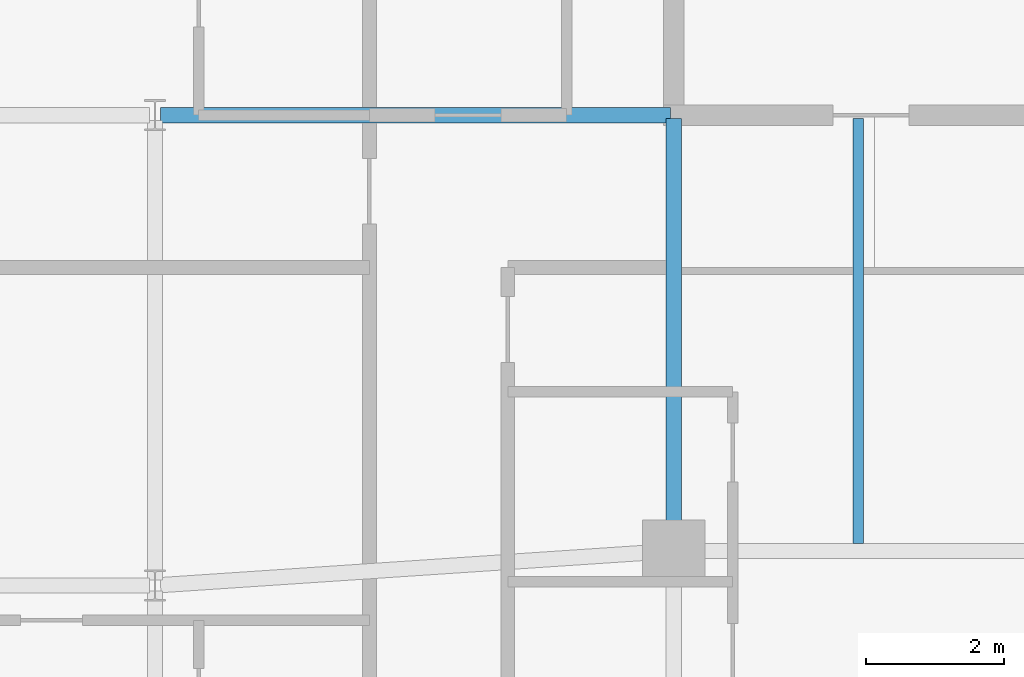
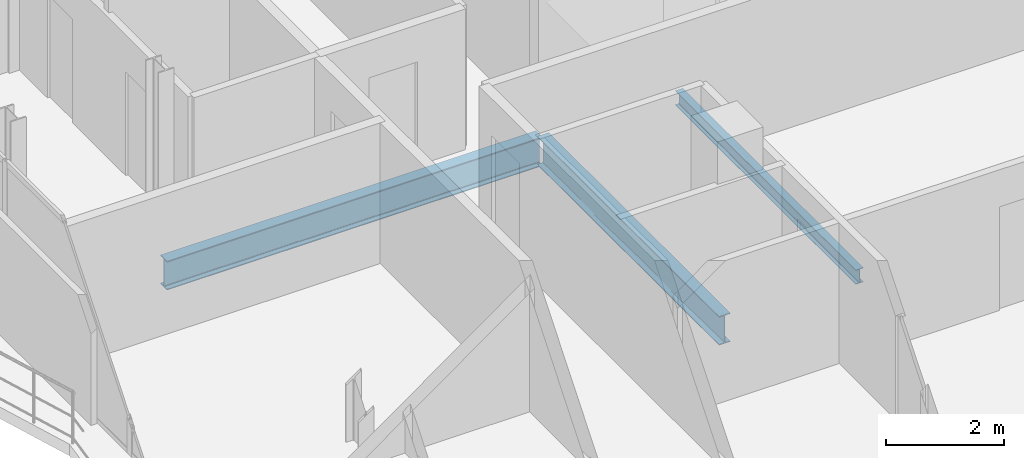
# One storey, part 11 of 22: 3 beams.
"""IFC4 building model written with IfcOpenShell, lengths in metres."""

import ifcopenshell
import ifcopenshell.guid

model = None  # the IFC model being written
_history = None  # IfcOwnerHistory: only IFC2X3 demands one
_inside = {}  # id of a spatial element -> (the spatial element, [elements in it])
_under = {}  # id of a project, library or spatial element -> (it, [spatial elements below it])
_declared = {}  # id of a project -> (the project, [libraries it declares])
_typed = {}  # id of a type object -> (the type object, [elements of that type])
_made_of = {}  # id of a material, layer set ... -> (it, [elements and type objects made of it])


def new_model(schema):
    """Start an empty IFC model of exactly this schema.

    Asked for "IFC4X3", IfcOpenShell would pick the latest addendum, in which some entities
    have other attributes; the version numbers below select the first issue.
    IFC2X3 requires an IfcOwnerHistory on every rooted entity: one is made here for all.
    """
    global model, _history
    if schema == "IFC4X3":
        model = ifcopenshell.file(schema_version=(4, 3, 0, 0))
    else:
        model = ifcopenshell.file(schema=schema)
    _inside.clear()
    _under.clear()
    _declared.clear()
    _typed.clear()
    _made_of.clear()
    _history = None
    if model.schema == "IFC2X3":
        org = make("IfcOrganization", Name="unknown")
        user = make(
            "IfcPersonAndOrganization",
            ThePerson=make("IfcPerson", FamilyName="unknown"),
            TheOrganization=org,
        )
        app = make(
            "IfcApplication",
            ApplicationDeveloper=org,
            Version="unknown",
            ApplicationFullName="unknown",
            ApplicationIdentifier="unknown",
        )
        _history = make(
            "IfcOwnerHistory",
            OwningUser=user,
            OwningApplication=app,
            ChangeAction="ADDED",
            CreationDate=0,
        )
    return model


def make(cls, **values):
    """One entity of the class cls with the attributes given. An attribute that is None is left unset."""
    return model.create_entity(
        cls, **{name: value for name, value in values.items() if value is not None}
    )


def rooted(cls, **values):
    """An entity with a GlobalId (a new one), such as an element, a storey or a relation."""
    return make(cls, GlobalId=ifcopenshell.guid.new(), OwnerHistory=_history, **values)


def si_unit(unit_type, name, prefix=None):
    """IfcSIUnit, for example si_unit("LENGTHUNIT", "METRE", prefix="MILLI")."""
    return make("IfcSIUnit", UnitType=unit_type, Prefix=prefix, Name=name)


def assignment(units):
    """IfcUnitAssignment: the units of a project."""
    return None if units is None else make("IfcUnitAssignment", Units=units)


def point(xyz):
    """IfcCartesianPoint."""
    return None if xyz is None else make("IfcCartesianPoint", Coordinates=xyz)


def direction(xyz):
    """IfcDirection."""
    return None if xyz is None else make("IfcDirection", DirectionRatios=xyz)


def frame(location, z_axis=None, x_axis=None):
    """IfcAxis2Placement3D, a coordinate frame: its origin and axes. An axis left out is left unset."""
    return make(
        "IfcAxis2Placement3D",
        Location=point(location),
        Axis=direction(z_axis),
        RefDirection=direction(x_axis),
    )


def frame_2d(location, x_axis=None):
    """IfcAxis2Placement2D, a coordinate frame in the plane: its origin and x axis."""
    return make(
        "IfcAxis2Placement2D", Location=point(location), RefDirection=direction(x_axis)
    )


def origin():
    """The frame at (0, 0, 0) with its axes left unset."""
    return frame((0.0, 0.0, 0.0))


def origin_2d():
    """The frame at (0, 0) in the plane with its x axis left unset."""
    return frame_2d((0.0, 0.0))


def place(relative_to, where):
    """IfcLocalPlacement: puts the frame where relative to a parent placement (None: the world)."""
    return make(
        "IfcLocalPlacement", PlacementRelTo=relative_to, RelativePlacement=where
    )


def context(
    kind, dimensions, precision=None, world=None, true_north=None, identifier=None
):
    """IfcGeometricRepresentationContext, for example the 3D "Model" context."""
    return make(
        "IfcGeometricRepresentationContext",
        ContextIdentifier=identifier,
        ContextType=kind,
        CoordinateSpaceDimension=dimensions,
        Precision=precision,
        WorldCoordinateSystem=world,
        TrueNorth=true_north,
    )


def subcontext(parent, identifier, kind, view, scale=None):
    """IfcGeometricRepresentationSubContext, for example "Body" below "Model"."""
    return make(
        "IfcGeometricRepresentationSubContext",
        ContextIdentifier=identifier,
        ContextType=kind,
        ParentContext=parent,
        TargetScale=scale,
        TargetView=view,
    )


def project(units=None, contexts=None):
    """IfcProject with its units and contexts."""
    return rooted(
        "IfcProject",
        Name="project",
        RepresentationContexts=contexts,
        UnitsInContext=assignment(units),
    )


def spatial(cls, under=None, at=None, **own):
    """A site, building, storey or space (cls), placed at a placement, below another one or the project."""
    s = rooted(cls, ObjectPlacement=at, **own)
    if under is not None:
        _under.setdefault(under.id(), (under, []))[1].append(s)
    return s


def profile(cls, at=None, kind="AREA", **sizes):
    """A parametric profile (cls). Its sizes go by their IFC names, for example OverallWidth=200.0."""
    return make(cls, ProfileType=kind, Position=at, **sizes)


def i_section(**sizes):
    """IfcIShapeProfileDef."""
    return profile("IfcIShapeProfileDef", **sizes)


def extrude(swept, where, along, depth):
    """IfcExtrudedAreaSolid: the profile swept, set in the frame where, extruded along a direction by depth."""
    return make(
        "IfcExtrudedAreaSolid",
        SweptArea=swept,
        Position=where,
        ExtrudedDirection=direction(along),
        Depth=depth,
    )


def shape(context_of_items, identifier, shape_type, items):
    """IfcShapeRepresentation: the items that make up one representation, for example the "Body"."""
    return make(
        "IfcShapeRepresentation",
        ContextOfItems=context_of_items,
        RepresentationIdentifier=identifier,
        RepresentationType=shape_type,
        Items=items,
    )


def material(Name=None, Category=None):
    """IfcMaterial."""
    return make("IfcMaterial", Name=Name, Category=Category)


def material_profile(
    of_material, cross_section, Name=None, Category=None, Priority=None
):
    """IfcMaterialProfile: a cross section and its material."""
    return make(
        "IfcMaterialProfile",
        Name=Name,
        Material=of_material,
        Profile=cross_section,
        Priority=Priority,
        Category=Category,
    )


def profile_set(profiles, Name=None, composite=None):
    """IfcMaterialProfileSet."""
    return make(
        "IfcMaterialProfileSet",
        Name=Name,
        MaterialProfiles=profiles,
        CompositeProfile=composite,
    )


def made_of(thing, what):
    """Note that an element or type object is made of a material, layer set ...; save() writes the relation."""
    if what is not None:
        _made_of.setdefault(what.id(), (what, []))[1].append(thing)
    return thing


def type_object(cls, material=None, **own):
    """A type object (cls), such as IfcWallType, which elements share."""
    return made_of(rooted(cls, **own), material)


def element(
    cls,
    number,
    at=None,
    inside=None,
    cuts=None,
    type_object=None,
    material=None,
    context=None,
    identifier="Body",
    shape_type=None,
    held_by="IfcProductDefinitionShape",
    body=None,
    shapes=None,
    **own,
):
    """One element of the class cls, such as IfcWall. Its Tag is "e" and its number.

    at: its placement. inside: the storey or other place that contains it. cuts: it is an
    opening in that element (IfcRelVoidsElement). A single representation is given by context,
    identifier, shape_type and body (its items); several are given by shapes. held_by: the class
    of the entity that holds the representations. save() writes the other relations.
    """
    e = rooted(cls, Tag="e%d" % number, ObjectPlacement=at, **own)
    if body is not None:
        shapes = [shape(context, identifier, shape_type, body)]
    if shapes is not None:
        e.Representation = make(held_by, Representations=shapes)
    if inside is not None:
        _inside.setdefault(inside.id(), (inside, []))[1].append(e)
    if cuts is not None:
        rooted(
            "IfcRelVoidsElement", RelatingBuildingElement=cuts, RelatedOpeningElement=e
        )
    if type_object is not None:
        _typed.setdefault(type_object.id(), (type_object, []))[1].append(e)
    return made_of(e, material)


def aggregate(whole, parts):
    """IfcRelAggregates: a whole, such as a stair, and the parts it consists of."""
    return rooted("IfcRelAggregates", RelatingObject=whole, RelatedObjects=parts)


def save(model, path):
    """Write the relations noted so far, then the file.

    IfcRelAggregates (storeys below a building ...), IfcRelContainedInSpatialStructure (elements
    in a storey), IfcRelDefinesByType, IfcRelAssociatesMaterial and IfcRelDeclares: one each for
    every whole, place, type object, material and project.
    """
    for whole, parts in _under.values():
        aggregate(whole, parts)
    for where, things in _inside.values():
        rooted(
            "IfcRelContainedInSpatialStructure",
            RelatedElements=things,
            RelatingStructure=where,
        )
    for kind, things in _typed.values():
        rooted("IfcRelDefinesByType", RelatedObjects=things, RelatingType=kind)
    for what, things in _made_of.values():
        rooted("IfcRelAssociatesMaterial", RelatedObjects=things, RelatingMaterial=what)
    for by, libraries in _declared.values():
        rooted("IfcRelDeclares", RelatingContext=by, RelatedDefinitions=libraries)
    model.write(path)


model = new_model("IFC4")

# Units and contexts
model_context = context("Model", 3, precision=1e-05, world=origin(), true_north=direction((0.0, 1.0)))
body_context = subcontext(model_context, "Body", "Model", "MODEL_VIEW")
ifc_project = project(units=[si_unit("LENGTHUNIT", "METRE"), si_unit("AREAUNIT", "SQUARE_METRE"), si_unit("VOLUMEUNIT", "CUBIC_METRE"), si_unit("PLANEANGLEUNIT", "RADIAN"), si_unit("MASSUNIT", "GRAM", prefix="KILO")], contexts=[model_context])

# Site, building, storey
site_placement = place(None, origin())
site = spatial("IfcSite", under=ifc_project, at=site_placement, CompositionType="ELEMENT")
building_placement = place(site_placement, origin())
building = spatial("IfcBuilding", under=site, at=building_placement, Name="Catumbela Crestline Tower", CompositionType="ELEMENT")
storey_placement = place(building_placement, frame((0.0, 0.0, 218.4)))
storey = spatial("IfcBuildingStorey", under=building, at=storey_placement, Name="L56", CompositionType="ELEMENT", Elevation=218.4)

# Beams
ifc_material = material(Name="Structural steel S355J2", Category="steel")
ifc_material_profile_1 = material_profile(ifc_material, i_section(OverallWidth=0.22, OverallDepth=0.6, WebThickness=0.012, FlangeThickness=0.019, FilletRadius=0.024, at=origin_2d()), Name="IPE 600")
ifc_profile_set_1 = profile_set([ifc_material_profile_1], Name="Structural steel S355J2")
beam_type_1 = type_object("IfcBeamType", Name="BG-IPE600", PredefinedType="BEAM", material=ifc_profile_set_1)
beam_1_placement = place(storey_placement, frame((8.58, 30.8, -0.56), z_axis=(1.0, 0.0, 0.0), x_axis=(0.0, 1.0, 0.0)))
element("IfcBeam", 1, at=beam_1_placement, inside=storey, type_object=beam_type_1, Name="L56 Beam BM-L56-M07", PredefinedType="BEAM", context=body_context, shape_type="SweptSolid", body=[
    extrude(i_section(OverallWidth=0.22, OverallDepth=0.6, WebThickness=0.012, FlangeThickness=0.019, FilletRadius=0.024, at=origin_2d()), origin(), (0.0, 0.0, 1.0), 7.37),
])
beam_2_placement = place(storey_placement, frame((16.0, 24.58, -0.56), z_axis=(0.0, 1.0, 0.0), x_axis=(-1.0, 0.0, 0.0)))
element("IfcBeam", 2, at=beam_2_placement, inside=storey, type_object=beam_type_1, Name="L56 Beam BM-L56-SNS15", PredefinedType="BEAM", context=body_context, shape_type="SweptSolid", body=[
    extrude(i_section(OverallWidth=0.22, OverallDepth=0.6, WebThickness=0.012, FlangeThickness=0.019, FilletRadius=0.024, at=origin_2d()), origin(), (0.0, 0.0, 1.0), 6.17),
])
ifc_material_profile_2 = material_profile(ifc_material, i_section(OverallWidth=0.15, OverallDepth=0.3, WebThickness=0.0071, FlangeThickness=0.0107, FilletRadius=0.015, at=origin_2d()), Name="IPE 300")
ifc_profile_set_2 = profile_set([ifc_material_profile_2], Name="Structural steel S355J2")
beam_type_2 = type_object("IfcBeamType", Name="BJ-IPE300", PredefinedType="JOIST", material=ifc_profile_set_2)
beam_3_placement = place(storey_placement, frame((18.667, 24.61, -0.41), z_axis=(0.0, 1.0, 0.0), x_axis=(-1.0, 0.0, 0.0)))
element("IfcBeam", 3, at=beam_3_placement, inside=storey, type_object=beam_type_2, Name="L56 Joist JS-L56-SP21", PredefinedType="JOIST", context=body_context, shape_type="SweptSolid", body=[
    extrude(i_section(OverallWidth=0.15, OverallDepth=0.3, WebThickness=0.0071, FlangeThickness=0.0107, FilletRadius=0.015, at=origin_2d()), origin(), (0.0, 0.0, 1.0), 6.14),
])

save(model, "model.ifc")
